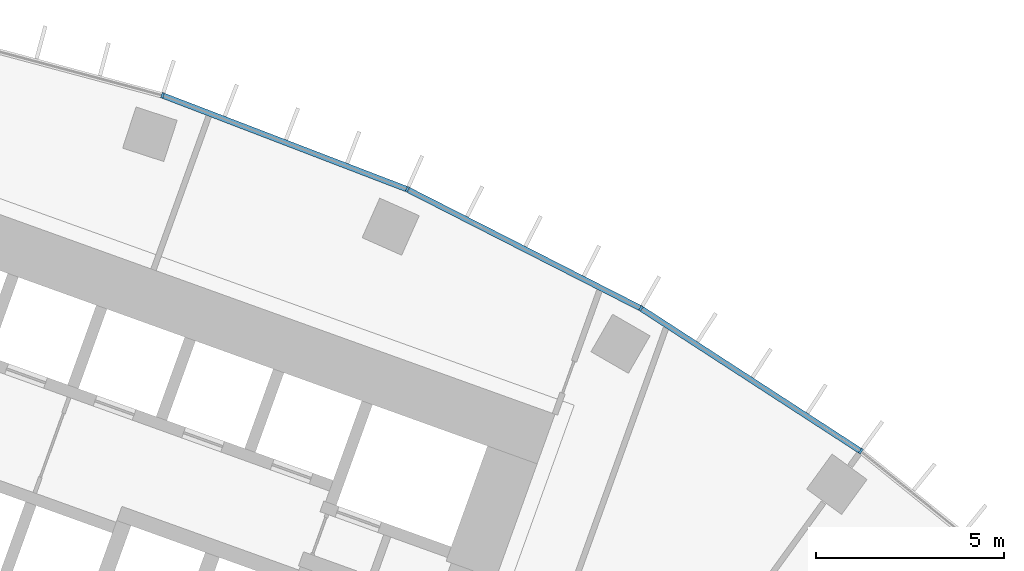
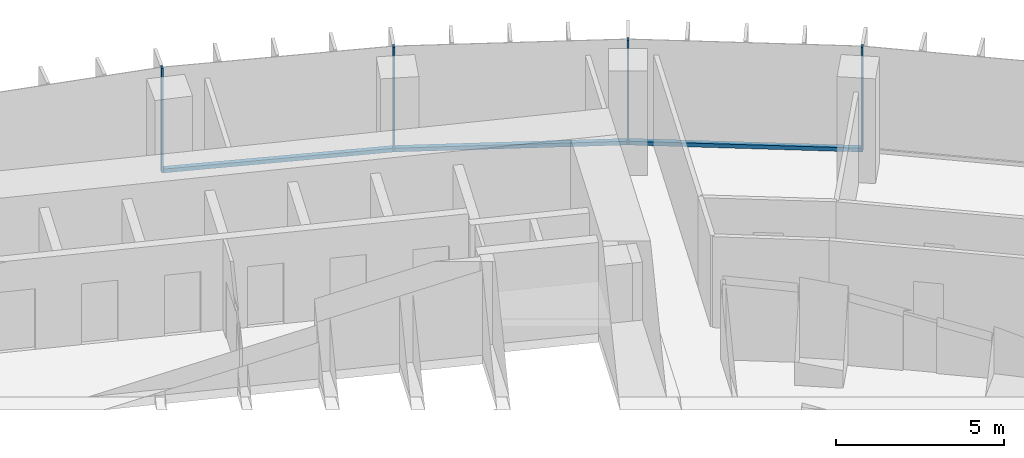
# One storey, part 11 of 22: 7 members, 1 element without a shape of its own.
"""IFC4 building model written with IfcOpenShell, lengths in metres."""

from ifc_helpers import new_model, si_unit, direction, frame, origin, origin_2d, place, context, subcontext, project, spatial, rectangle, extrude, material, layer, layer_set, material_profile, profile_set, type_object, element, aggregate, save


model = new_model("IFC4")

# Units and contexts
model_context = context("Model", 3, precision=1e-05, world=origin(), true_north=direction((0.0, 1.0)))
body_context = subcontext(model_context, "Body", "Model", "MODEL_VIEW")
ifc_project = project(units=[si_unit("LENGTHUNIT", "METRE"), si_unit("AREAUNIT", "SQUARE_METRE"), si_unit("VOLUMEUNIT", "CUBIC_METRE"), si_unit("PLANEANGLEUNIT", "RADIAN"), si_unit("MASSUNIT", "GRAM", prefix="KILO")], contexts=[model_context])

# Site, building, storey
site_placement = place(None, origin())
site = spatial("IfcSite", under=ifc_project, at=site_placement, CompositionType="ELEMENT")
building_placement = place(site_placement, origin())
building = spatial("IfcBuilding", under=site, at=building_placement, Name="Stone Belt Terrace Tower", CompositionType="ELEMENT")
storey_placement = place(building_placement, frame((0.0, 0.0, 132.60009765625)))
storey = spatial("IfcBuildingStorey", under=building, at=storey_placement, Name="L32", CompositionType="ELEMENT", Elevation=132.60009765625)

# Curtain wall, members
ifc_material = material(Name="Aluminium 6063-T6 anodised frame", Category="aluminium")
ifc_layer = layer(ifc_material, 0.14990234375)
ifc_layer_set = layer_set([ifc_layer], Name="CW-A unitised convex-face curtain wall")
curtain_wall_type = type_object("IfcCurtainWallType", Name="CW-A unitised convex-face curtain wall", PredefinedType="NOTDEFINED", material=ifc_layer_set)
curtain_wall_placement = place(storey_placement, origin())
curtain_wall = element("IfcCurtainWall", 1, at=curtain_wall_placement, inside=storey, type_object=curtain_wall_type, Name="CW-A convex face L32", PredefinedType="NOTDEFINED")
ifc_material_profile_1 = material_profile(ifc_material, rectangle(XDim=0.14990234375, YDim=0.06005859375, at=origin_2d()), Name="Aluminium 6063-T6 60x150")
ifc_profile_set_1 = profile_set([ifc_material_profile_1], Name="Aluminium 6063-T6 anodised frame")
member_type_1 = type_object("IfcMemberType", Name="CW-A mullion 60 x 150", PredefinedType="MULLION", material=ifc_profile_set_1)
member_1_placement = place(storey_placement, frame((39.1318359375, 53.8603515625, 0.0), z_axis=(0.0, 0.0, 1.0), x_axis=(-0.587785252292, -0.809016994375, 0.0)))
member_1 = element("IfcMember", 2, at=member_1_placement, type_object=member_type_1, Name="CW-A mullion 4", PredefinedType="MULLION", context=body_context, shape_type="SweptSolid", body=[
    extrude(rectangle(XDim=0.14990234375, YDim=0.06005859375, at=origin_2d()), origin(), (0.0, 0.0, 1.0), 3.7998046875),
])
member_2_placement = place(storey_placement, frame((33.28759765625, 57.65576171875, 0.0), z_axis=(0.0, 0.0, 1.0), x_axis=(-0.5, -0.866025403784, 0.0)))
member_2 = element("IfcMember", 3, at=member_2_placement, type_object=member_type_1, Name="CW-A mullion 5", PredefinedType="MULLION", context=body_context, shape_type="SweptSolid", body=[
    extrude(rectangle(XDim=0.14990234375, YDim=0.06005859375, at=origin_2d()), origin(), (0.0, 0.0, 1.0), 3.7998046875),
])
member_3_placement = place(storey_placement, frame((27.07861328125, 60.8193359375, 0.0), z_axis=(0.0, 0.0, 1.0), x_axis=(-0.406736643076, -0.913545457643, 0.0)))
member_3 = element("IfcMember", 4, at=member_3_placement, type_object=member_type_1, Name="CW-A mullion 6", PredefinedType="MULLION", context=body_context, shape_type="SweptSolid", body=[
    extrude(rectangle(XDim=0.14990234375, YDim=0.06005859375, at=origin_2d()), origin(), (0.0, 0.0, 1.0), 3.7998046875),
])
member_4_placement = place(storey_placement, frame((20.57275390625, 63.316650390625, 0.0), z_axis=(0.0, 0.0, 1.0), x_axis=(-0.309016994375, -0.951056516295, 0.0)))
member_4 = element("IfcMember", 5, at=member_4_placement, type_object=member_type_1, Name="CW-A mullion 7", PredefinedType="MULLION", context=body_context, shape_type="SweptSolid", body=[
    extrude(rectangle(XDim=0.14990234375, YDim=0.06005859375, at=origin_2d()), origin(), (0.0, 0.0, 1.0), 3.7998046875),
])
ifc_material_profile_2 = material_profile(ifc_material, rectangle(XDim=0.14990234375, YDim=0.139892578125, at=origin_2d()), Name="Aluminium 6063-T6 150x140")
ifc_profile_set_2 = profile_set([ifc_material_profile_2], Name="Aluminium 6063-T6 anodised frame")
member_type_2 = type_object("IfcMemberType", Name="CW-A transom 140 x 150", PredefinedType="USERDEFINED", material=ifc_profile_set_2)
member_5_placement = place(storey_placement, frame((39.103515625, 53.87890625, 0.06982421875), z_axis=(-0.83868440714, 0.544617723931, 0.0), x_axis=(-0.544617723931, -0.83868440714, 0.0)))
member_5 = element("IfcMember", 6, at=member_5_placement, type_object=member_type_2, Name="CW-A transom 4.1", ObjectType="TRANSOM", PredefinedType="USERDEFINED", context=body_context, shape_type="SweptSolid", body=[
    extrude(rectangle(XDim=0.14990234375, YDim=0.139892578125, at=origin_2d()), origin(), (0.0, 0.0, 1.0), 6.90087890625),
])
member_6_placement = place(storey_placement, frame((33.25732421875, 57.671142578125, 0.06982421875), z_axis=(-0.891012226264, 0.453979308613, 0.0), x_axis=(-0.453979308613, -0.891012226264, 0.0)))
member_6 = element("IfcMember", 7, at=member_6_placement, type_object=member_type_2, Name="CW-A transom 5.1", ObjectType="TRANSOM", PredefinedType="USERDEFINED", context=body_context, shape_type="SweptSolid", body=[
    extrude(rectangle(XDim=0.14990234375, YDim=0.139892578125, at=origin_2d()), origin(), (0.0, 0.0, 1.0), 6.90087890625),
])
member_7_placement = place(storey_placement, frame((27.046875, 60.83154296875, 0.06982421875), z_axis=(-0.933585210269, 0.358355487146, 0.0), x_axis=(-0.358355487146, -0.933585210269, 0.0)))
member_7 = element("IfcMember", 8, at=member_7_placement, type_object=member_type_2, Name="CW-A transom 6.1", ObjectType="TRANSOM", PredefinedType="USERDEFINED", context=body_context, shape_type="SweptSolid", body=[
    extrude(rectangle(XDim=0.14990234375, YDim=0.139892578125, at=origin_2d()), origin(), (0.0, 0.0, 1.0), 6.900634765625),
])
aggregate(curtain_wall, [member_1, member_2, member_3, member_4, member_5, member_6, member_7])

save(model, "model.ifc")
